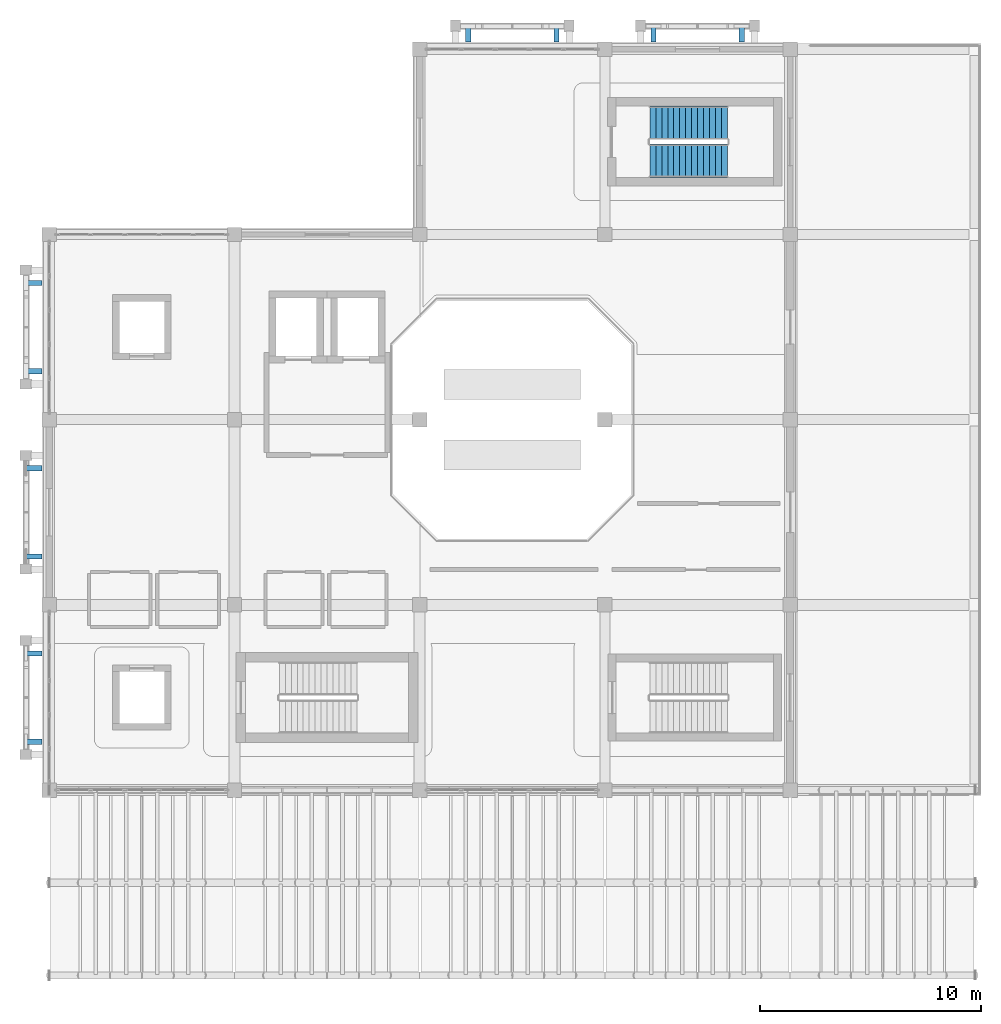
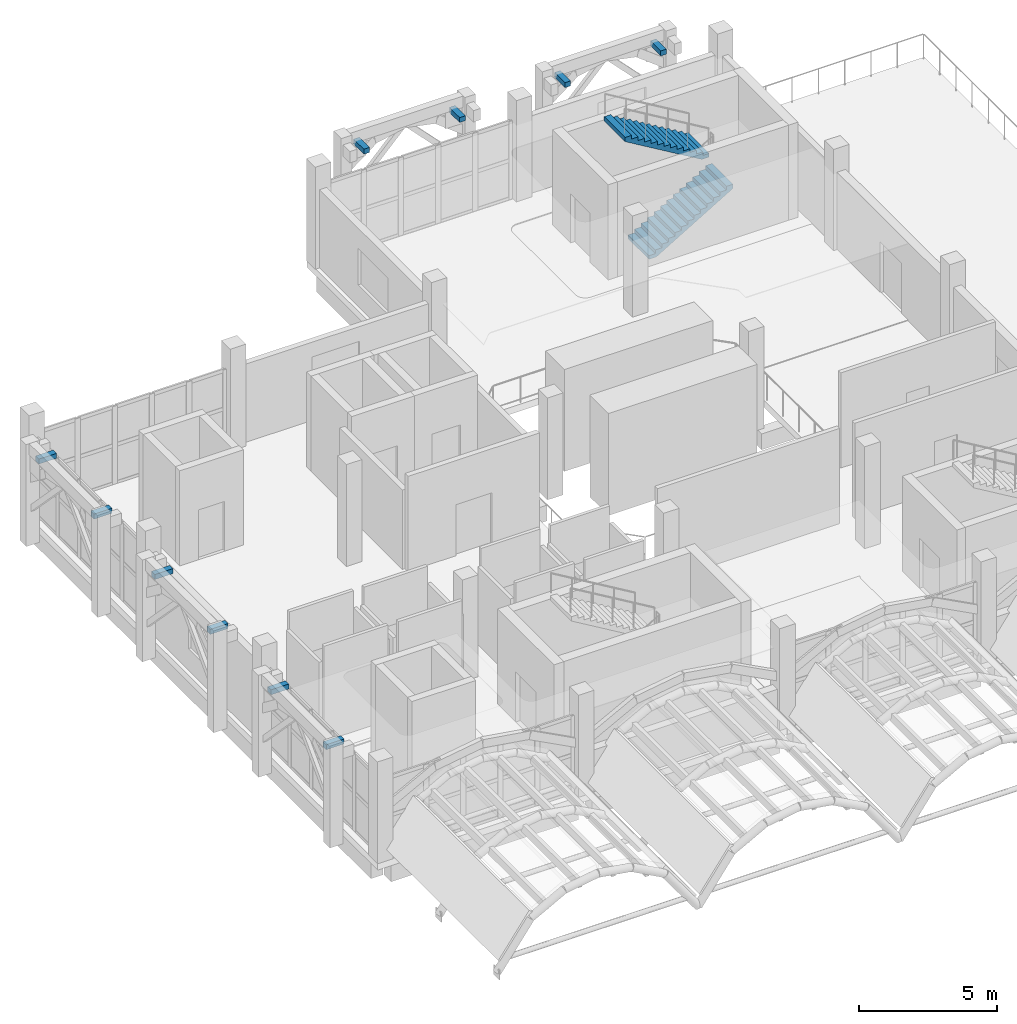
# One storey, part 18 of 22: 10 discrete accessories, 2 stair flights, 1 element without a shape of its own.
"""IFC4 building model written with IfcOpenShell, lengths in metres."""

from ifc_helpers import new_model, si_unit, direction, frame, origin, origin_2d, place, context, subcontext, project, spatial, polyline, rectangle, outline, extrude, material, type_object, element, aggregate, save


model = new_model("IFC4")

# Units and contexts
model_context = context("Model", 3, precision=1e-05, world=origin(), true_north=direction((0.0, 1.0)))
body_context = subcontext(model_context, "Body", "Model", "MODEL_VIEW")
ifc_project = project(units=[si_unit("LENGTHUNIT", "METRE"), si_unit("AREAUNIT", "SQUARE_METRE"), si_unit("VOLUMEUNIT", "CUBIC_METRE"), si_unit("PLANEANGLEUNIT", "RADIAN"), si_unit("MASSUNIT", "GRAM", prefix="KILO")], contexts=[model_context])

# Site, building, storey
site_placement = place(None, origin())
site = spatial("IfcSite", under=ifc_project, at=site_placement, CompositionType="ELEMENT")
building_placement = place(site_placement, origin())
building = spatial("IfcBuilding", under=site, at=building_placement, Name="Xazarin Passage Department Store", CompositionType="ELEMENT")
storey_placement = place(building_placement, frame((0.0, 0.0, 27.89990234375)))
storey = spatial("IfcBuildingStorey", under=building, at=storey_placement, Name="L06", CompositionType="ELEMENT", Elevation=27.89990234375)

# Stair, stair flights
ifc_material_1 = material(Name="Concrete C35/45", Category="concrete")
stair_type = type_object("IfcStairType", Name="ARC-ST-TYP", PredefinedType="HALF_TURN_STAIR", material=ifc_material_1)
stair_placement = place(storey_placement, origin())
stair = element("IfcStair", 1, at=stair_placement, inside=storey, type_object=stair_type, Name="L06 Exit Stair ST2", PredefinedType="HALF_TURN_STAIR")
stair_flight_type = type_object("IfcStairFlightType", Name="ARC-SFL-TYP", PredefinedType="STRAIGHT", material=ifc_material_1)
stair_flight_1_placement = place(storey_placement, frame((27.239990234375, 104.93994140625, 0.0), z_axis=(0.0, 0.0, 1.0), x_axis=(1.0, 0.0, 0.0)))
stair_flight_1 = element("IfcStairFlight", 2, at=stair_flight_1_placement, type_object=stair_flight_type, Name="ST2 flight 1", NumberOfRisers=14, NumberOfTreads=13, PredefinedType="STRAIGHT", RiserHeight=0.160714286, TreadLength=0.27, context=body_context, shape_type="SweptSolid", body=[
    extrude(outline(polyline([(0.0, 0.0), (0.0, 0.16064453125), (0.27001953125, 0.16064453125), (0.27001953125, 0.321533203125), (0.5400390625, 0.321533203125), (0.5400390625, 0.482177734375), (0.81005859375, 0.482177734375), (0.81005859375, 0.642822265625), (1.080078125, 0.642822265625), (1.080078125, 0.803466796875), (1.35009765625, 0.803466796875), (1.35009765625, 0.96435546875), (1.6201171875, 0.96435546875), (1.6201171875, 1.125), (1.889892578125, 1.125), (1.889892578125, 1.28564453125), (2.159912109375, 1.28564453125), (2.159912109375, 1.446533203125), (2.429931640625, 1.446533203125), (2.429931640625, 1.607177734375), (2.699951171875, 1.607177734375), (2.699951171875, 1.767822265625), (2.969970703125, 1.767822265625), (2.969970703125, 1.928466796875), (3.239990234375, 1.928466796875), (3.239990234375, 2.08935546875), (3.510009765625, 2.08935546875), (3.510009765625, 2.25), (3.510009765625, 1.903076171875), (0.312744140625, 0.0), (0.0, 0.0)])), frame((0.0, 0.760009765625, 0.0), z_axis=(0.0, -1.0, 0.0), x_axis=(1.0, 0.0, 0.0)), (0.0, 0.0, 1.0), 1.52001953125),
])
stair_flight_2_placement = place(storey_placement, frame((30.75, 106.659912109375, 2.25), z_axis=(0.0, 0.0, 1.0), x_axis=(-1.0, 0.0, 0.0)))
stair_flight_2 = element("IfcStairFlight", 3, at=stair_flight_2_placement, type_object=stair_flight_type, Name="ST2 flight 2", NumberOfRisers=14, NumberOfTreads=13, PredefinedType="STRAIGHT", RiserHeight=0.160714286, TreadLength=0.27, context=body_context, shape_type="SweptSolid", body=[
    extrude(outline(polyline([(0.0, 0.0), (0.0, 0.16064453125), (0.27001953125, 0.16064453125), (0.27001953125, 0.321533203125), (0.5400390625, 0.321533203125), (0.5400390625, 0.482177734375), (0.81005859375, 0.482177734375), (0.81005859375, 0.642822265625), (1.080078125, 0.642822265625), (1.080078125, 0.803466796875), (1.35009765625, 0.803466796875), (1.35009765625, 0.96435546875), (1.6201171875, 0.96435546875), (1.6201171875, 1.125), (1.889892578125, 1.125), (1.889892578125, 1.28564453125), (2.159912109375, 1.28564453125), (2.159912109375, 1.446533203125), (2.429931640625, 1.446533203125), (2.429931640625, 1.607177734375), (2.699951171875, 1.607177734375), (2.699951171875, 1.767822265625), (2.969970703125, 1.767822265625), (2.969970703125, 1.928466796875), (3.239990234375, 1.928466796875), (3.239990234375, 2.08935546875), (3.510009765625, 2.08935546875), (3.510009765625, 2.25), (3.510009765625, 1.903076171875), (0.312744140625, 0.0), (0.0, 0.0)])), frame((0.0, 0.760009765625, 0.0), z_axis=(0.0, -1.0, 0.0), x_axis=(1.0, 0.0, 0.0)), (0.0, 0.0, 1.0), 1.52001953125),
])
aggregate(stair, [stair_flight_1, stair_flight_2])

# Discrete accessories
ifc_material_2 = material(Name="Steel S355", Category="steel")
discrete_accessory_type = type_object("IfcDiscreteAccessoryType", Name="ARC-BRK-S355-A", PredefinedType="BRACKET", material=ifc_material_2)
for number, where, z_axis, x_axis, name in (
    (4, (19.0, 110.699951171875, 3.84033203125), (0.0, 0.0, 1.0), (1.0, 0.0, 0.0), "L06 V1 Spandrel Tie Bracket 0013"),
    (5, (23.0, 110.699951171875, 3.84033203125), (0.0, 0.0, 1.0), (1.0, 0.0, 0.0), "L06 V1 Spandrel Tie Bracket 0014"),
    (6, (27.39990234375, 110.699951171875, 3.84033203125), (0.0, 0.0, 1.0), (1.0, 0.0, 0.0), "L06 V1 Spandrel Tie Bracket 0029"),
    (7, (31.39990234375, 110.699951171875, 3.84033203125), (0.0, 0.0, 1.0), (1.0, 0.0, 0.0), "L06 V1 Spandrel Tie Bracket 0030"),
    (8, (-0.699951171875, 78.60009765625, 3.84033203125), (0.0, 0.0, 1.0), (0.0, 1.0, 0.0), "L06 V1 Spandrel Tie Bracket 0105"),
    (9, (-0.699951171875, 82.60009765625, 3.84033203125), (0.0, 0.0, 1.0), (0.0, 1.0, 0.0), "L06 V1 Spandrel Tie Bracket 0106"),
    (10, (-0.699951171875, 87.0, 3.84033203125), (0.0, 0.0, 1.0), (0.0, 1.0, 0.0), "L06 V1 Spandrel Tie Bracket 0121"),
    (11, (-0.699951171875, 91.0, 3.84033203125), (0.0, 0.0, 1.0), (0.0, 1.0, 0.0), "L06 V1 Spandrel Tie Bracket 0122"),
    (12, (-0.699951171875, 95.39990234375, 3.84033203125), (0.0, 0.0, 1.0), (0.0, 1.0, 0.0), "L06 V1 Spandrel Tie Bracket 0137"),
    (13, (-0.699951171875, 99.39990234375, 3.84033203125), (0.0, 0.0, 1.0), (0.0, 1.0, 0.0), "L06 V1 Spandrel Tie Bracket 0138"),
):
    element("IfcDiscreteAccessory", number, at=place(storey_placement, frame(where, z_axis=z_axis, x_axis=x_axis)), inside=storey, type_object=discrete_accessory_type, Name=name, PredefinedType="BRACKET", context=body_context, shape_type="SweptSolid", body=[
        extrude(rectangle(XDim=0.239990234375, YDim=0.75, at=origin_2d()), origin(), (0.0, 0.0, 1.0), 0.219970703125),
    ])

save(model, "model.ifc")
